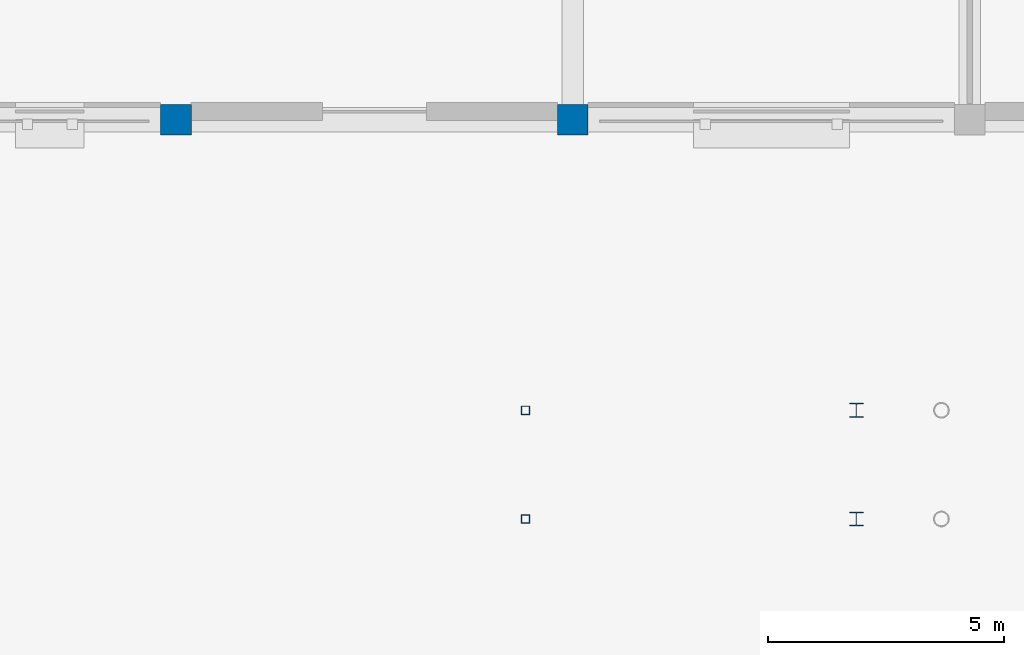
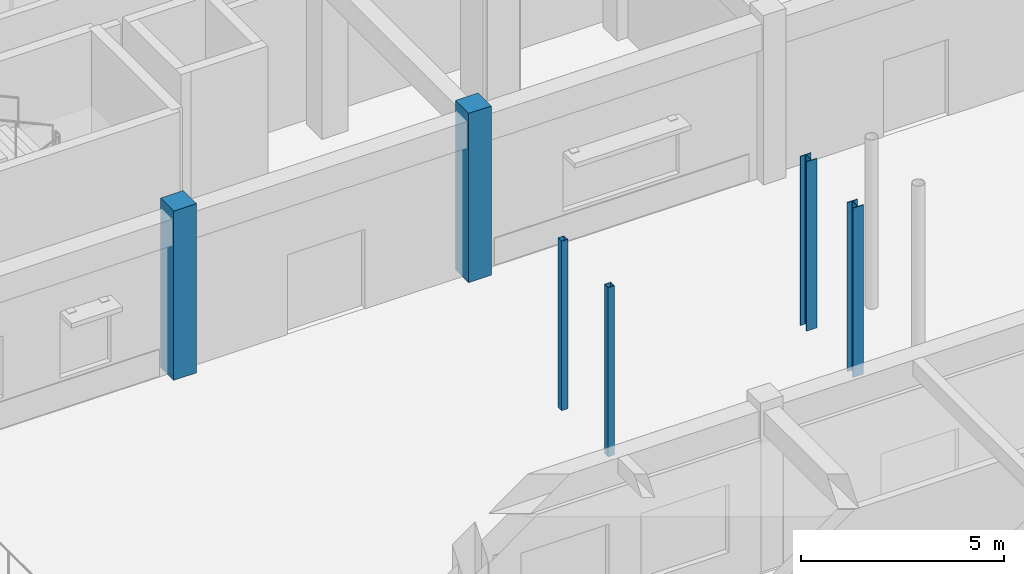
# One storey, part 10 of 121: 6 columns.
"""IFC4 building model written with IfcOpenShell, lengths in metres."""

from ifc_helpers import new_model, si_unit, direction, frame, origin, origin_2d, place, context, subcontext, project, spatial, rectangle, hollow_rectangle, i_section, extrude, material, material_profile, profile_set, type_object, element, save


model = new_model("IFC4")

# Units and contexts
model_context = context("Model", 3, precision=1e-05, world=origin(), true_north=direction((0.0, 1.0)))
body_context = subcontext(model_context, "Body", "Model", "MODEL_VIEW")
ifc_project = project(units=[si_unit("LENGTHUNIT", "METRE"), si_unit("AREAUNIT", "SQUARE_METRE"), si_unit("VOLUMEUNIT", "CUBIC_METRE"), si_unit("PLANEANGLEUNIT", "RADIAN"), si_unit("MASSUNIT", "GRAM", prefix="KILO")], contexts=[model_context])

# Site, building, storey
site_placement = place(None, origin())
site = spatial("IfcSite", under=ifc_project, at=site_placement, CompositionType="ELEMENT")
building_placement = place(site_placement, origin())
building = spatial("IfcBuilding", under=site, at=building_placement, Name="Malvenik Polytechnic", CompositionType="ELEMENT")
storey_placement = place(building_placement, origin())
storey = spatial("IfcBuildingStorey", under=building, at=storey_placement, Name="L00", CompositionType="ELEMENT", Elevation=0.0)

# Columns
ifc_material_1 = material(Name="Concrete C35/45", Category="concrete")
ifc_material_profile_1 = material_profile(ifc_material_1, rectangle(XDim=0.64990234375, YDim=0.64990234375, at=origin_2d()), Name="RC COL 650x650")
ifc_profile_set_1 = profile_set([ifc_material_profile_1], Name="Concrete C35/45")
column_type_1 = type_object("IfcColumnType", Name="STR-COL-C-05", PredefinedType="COLUMN", material=ifc_profile_set_1)
for number, where, z_axis, x_axis, name in (
    (1, (16.800048828125, 79.199951171875, 0.0), (0.0, 0.0, 1.0), (1.0, 0.0, 0.0), "Column C-05 L00 (16.8,79.2)"),
    (2, (25.199951171875, 79.199951171875, 0.0), (0.0, 0.0, 1.0), (1.0, 0.0, 0.0), "Column C-05 L00 (25.2,79.2)"),
):
    element("IfcColumn", number, at=place(storey_placement, frame(where, z_axis=z_axis, x_axis=x_axis)), inside=storey, type_object=column_type_1, Name=name, PredefinedType="COLUMN", context=body_context, shape_type="SweptSolid", body=[
        extrude(rectangle(XDim=0.64990234375, YDim=0.64990234375, at=origin_2d()), origin(), (0.0, 0.0, 1.0), 5.10009765625),
    ])
ifc_material_2 = material(Name="Steel S355", Category="steel")
ifc_material_profile_2 = material_profile(ifc_material_2, i_section(OverallWidth=0.300048828125, OverallDepth=0.300048828125, WebThickness=0.010986328125, FlangeThickness=0.01904296875, FilletRadius=0.027099609375, at=origin_2d()), Name="HEB 300")
ifc_profile_set_2 = profile_set([ifc_material_profile_2], Name="Steel S355")
column_type_2 = type_object("IfcColumnType", Name="STR-SCOL-SC-05", PredefinedType="COLUMN", material=ifc_profile_set_2)
for number, where, z_axis, x_axis, name in (
    (3, (31.199951171875, 70.75, 0.0), (0.0, 0.0, 1.0), (1.0, 0.0, 0.0), "Bridge-Ramp Support Column SC-05 L00"),
    (4, (31.199951171875, 73.050048828125, 0.0), (0.0, 0.0, 1.0), (1.0, 0.0, 0.0), "Bridge-Ramp Support Column SC-05 L00"),
):
    element("IfcColumn", number, at=place(storey_placement, frame(where, z_axis=z_axis, x_axis=x_axis)), inside=storey, type_object=column_type_2, Name=name, PredefinedType="COLUMN", context=body_context, shape_type="SweptSolid", body=[
        extrude(i_section(OverallWidth=0.300048828125, OverallDepth=0.300048828125, WebThickness=0.010986328125, FlangeThickness=0.01904296875, FilletRadius=0.027099609375, at=origin_2d()), origin(), (0.0, 0.0, 1.0), 5.10009765625),
    ])
ifc_material_3 = material(Name="Steel S355J2H", Category="steel")
ifc_material_profile_3 = material_profile(ifc_material_3, hollow_rectangle(XDim=0.179931640625, YDim=0.179931640625, WallThickness=0.008056640625, at=origin_2d()), Name="SHS 180x180x8.0")
ifc_profile_set_3 = profile_set([ifc_material_profile_3], Name="Steel S355J2H")
column_type_3 = type_object("IfcColumnType", Name="STR-SCOL-SC-06", PredefinedType="COLUMN", material=ifc_profile_set_3)
for number, where, z_axis, x_axis, name in (
    (5, (24.199951171875, 70.75, 0.0), (0.0, 0.0, 1.0), (1.0, 0.0, 0.0), "Bridge-Ramp Support Column SC-06 L00"),
    (6, (24.199951171875, 73.050048828125, 0.0), (0.0, 0.0, 1.0), (1.0, 0.0, 0.0), "Bridge-Ramp Support Column SC-06 L00"),
):
    element("IfcColumn", number, at=place(storey_placement, frame(where, z_axis=z_axis, x_axis=x_axis)), inside=storey, type_object=column_type_3, Name=name, PredefinedType="COLUMN", context=body_context, shape_type="SweptSolid", body=[
        extrude(hollow_rectangle(XDim=0.179931640625, YDim=0.179931640625, WallThickness=0.008056640625, at=origin_2d()), origin(), (0.0, 0.0, 1.0), 5.10009765625),
    ])

save(model, "model.ifc")
